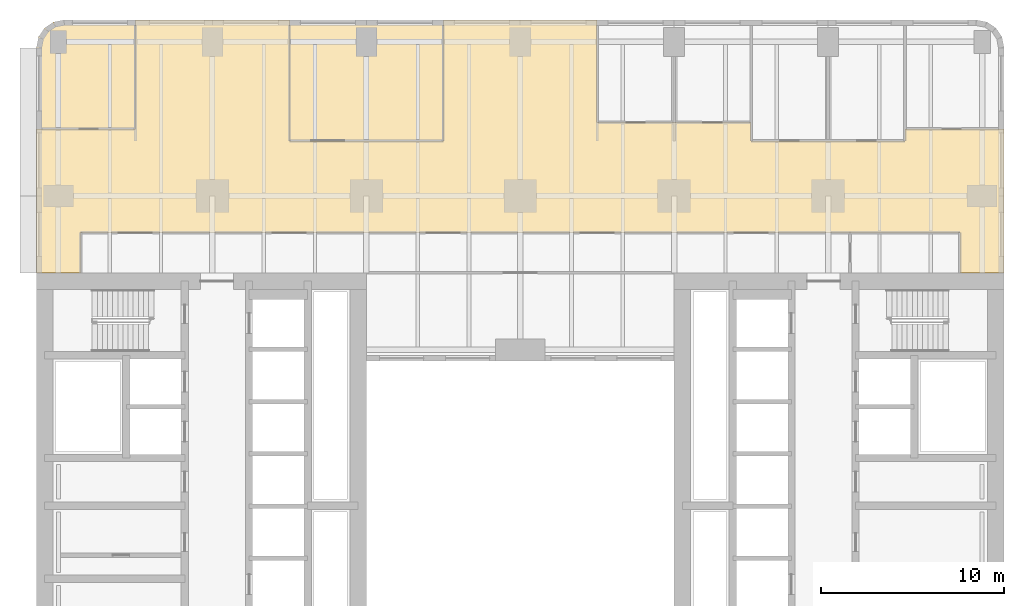
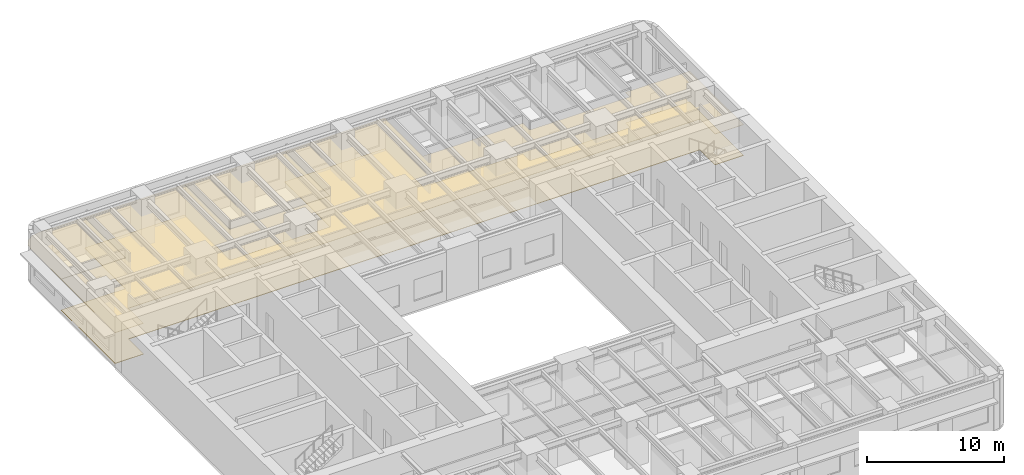
# One storey, part 13 of 14: 4 coverings.
"""IFC4 building model written with IfcOpenShell, lengths in metres."""

from ifc_helpers import new_model, si_unit, direction, frame, origin, place, context, subcontext, project, spatial, polyline, outline, extrude, material, layer, layer_set, type_object, element, save


model = new_model("IFC4")

# Units and contexts
model_context = context("Model", 3, precision=1e-05, world=origin(), true_north=direction((0.0, 1.0)))
body_context = subcontext(model_context, "Body", "Model", "MODEL_VIEW")
ifc_project = project(units=[si_unit("LENGTHUNIT", "METRE"), si_unit("AREAUNIT", "SQUARE_METRE"), si_unit("VOLUMEUNIT", "CUBIC_METRE"), si_unit("PLANEANGLEUNIT", "RADIAN"), si_unit("MASSUNIT", "GRAM", prefix="KILO")], contexts=[model_context])

# Site, building, storey
site_placement = place(None, origin())
site = spatial("IfcSite", under=ifc_project, at=site_placement, CompositionType="ELEMENT")
building_placement = place(site_placement, origin())
building = spatial("IfcBuilding", under=site, at=building_placement, Name="Claustro Exchange Tower", CompositionType="ELEMENT")
storey_placement = place(building_placement, frame((0.0, 0.0, 41.39990234375)))
storey = spatial("IfcBuildingStorey", under=building, at=storey_placement, Name="L09", CompositionType="ELEMENT", Elevation=41.39990234375)

# Coverings
ifc_material_1 = material(Name="Gypsum board ceiling", Category="gypsum board")
ifc_layer_1 = layer(ifc_material_1, 0.02490234375)
ifc_layer_set_1 = layer_set([ifc_layer_1], Name="Gypsum board ceiling")
covering_type_1 = type_object("IfcCoveringType", Name="CL2 plasterboard ceiling", PredefinedType="CEILING", material=ifc_layer_set_1)
covering_1_placement = place(storey_placement, frame((0.0, 0.0, 3.0)))
element("IfcCovering", 1, at=covering_1_placement, inside=storey, type_object=covering_type_1, Name="Ceiling CL2 L09-14", PredefinedType="CEILING", context=body_context, shape_type="SweptSolid", body=[
    extrude(outline(polyline([(-1.199951171875, 45.64990234375), (-1.199951171875, 37.800048828125), (1.199951171875, 37.800048828125), (1.199951171875, 40.0), (43.199951171875, 40.0), (49.199951171875, 40.0), (49.199951171875, 37.800048828125), (51.60009765625, 37.800048828125), (51.60009765625, 45.64990234375), (46.199951171875, 45.64990234375), (46.199951171875, 45.0), (42.0, 45.0), (37.800048828125, 45.0), (37.800048828125, 46.0), (33.60009765625, 46.0), (29.39990234375, 46.0), (29.39990234375, 51.60009765625), (21.0, 51.60009765625), (21.0, 45.0), (12.60009765625, 45.0), (12.60009765625, 51.60009765625), (4.199951171875, 51.60009765625), (4.199951171875, 45.64990234375), (-1.199951171875, 45.64990234375)])), origin(), (0.0, 0.0, 1.0), 0.025146484375),
])
covering_2_placement = place(storey_placement, frame((0.0, 0.0, 3.0)))
element("IfcCovering", 2, at=covering_2_placement, inside=storey, type_object=covering_type_1, Name="Ceiling CL2 L09-15", PredefinedType="CEILING", context=body_context, shape_type="SweptSolid", body=[
    extrude(outline(polyline([(21.0, 51.60009765625), (12.60009765625, 51.60009765625), (12.60009765625, 45.0), (21.0, 45.0), (21.0, 51.60009765625)])), origin(), (0.0, 0.0, 1.0), 0.025146484375),
])
covering_3_placement = place(storey_placement, frame((0.0, 0.0, 3.0)))
element("IfcCovering", 3, at=covering_3_placement, inside=storey, type_object=covering_type_1, Name="Ceiling CL2 L09-18", PredefinedType="CEILING", context=body_context, shape_type="SweptSolid", body=[
    extrude(outline(polyline([(-1.199951171875, 50.10009765625), (-1.199951171875, 45.64990234375), (4.199951171875, 45.64990234375), (4.199951171875, 51.60009765625), (0.300048828125, 51.60009765625), (-0.27392578125, 51.48583984375), (-0.7607421875, 51.16064453125), (-1.085693359375, 50.674072265625), (-1.199951171875, 50.10009765625)])), origin(), (0.0, 0.0, 1.0), 0.025146484375),
])
ifc_material_2 = material(Name="Steel-encased raised floor panels on pedestals", Category="steel")
ifc_layer_2 = layer(ifc_material_2, 0.0400390625)
ifc_layer_set_2 = layer_set([ifc_layer_2], Name="Steel-encased raised floor panels on pedestals")
covering_type_2 = type_object("IfcCoveringType", Name="RF1 300 raised access floor", PredefinedType="FLOORING", material=ifc_layer_set_2)
covering_4_placement = place(storey_placement, frame((0.0, 0.0, 0.260009765625)))
element("IfcCovering", 4, at=covering_4_placement, inside=storey, type_object=covering_type_2, Name="Raised access floor RF1 L09-14", PredefinedType="FLOORING", context=body_context, shape_type="SweptSolid", body=[
    extrude(outline(polyline([(-1.199951171875, 45.64990234375), (-1.199951171875, 37.800048828125), (1.199951171875, 37.800048828125), (1.199951171875, 40.0), (43.199951171875, 40.0), (49.199951171875, 40.0), (49.199951171875, 37.800048828125), (51.60009765625, 37.800048828125), (51.60009765625, 45.64990234375), (46.199951171875, 45.64990234375), (46.199951171875, 45.0), (42.0, 45.0), (37.800048828125, 45.0), (37.800048828125, 46.0), (33.60009765625, 46.0), (29.39990234375, 46.0), (29.39990234375, 51.60009765625), (21.0, 51.60009765625), (21.0, 45.0), (12.60009765625, 45.0), (12.60009765625, 51.60009765625), (4.199951171875, 51.60009765625), (4.199951171875, 45.64990234375), (-1.199951171875, 45.64990234375)])), origin(), (0.0, 0.0, 1.0), 0.0400390625),
])

save(model, "model.ifc")
